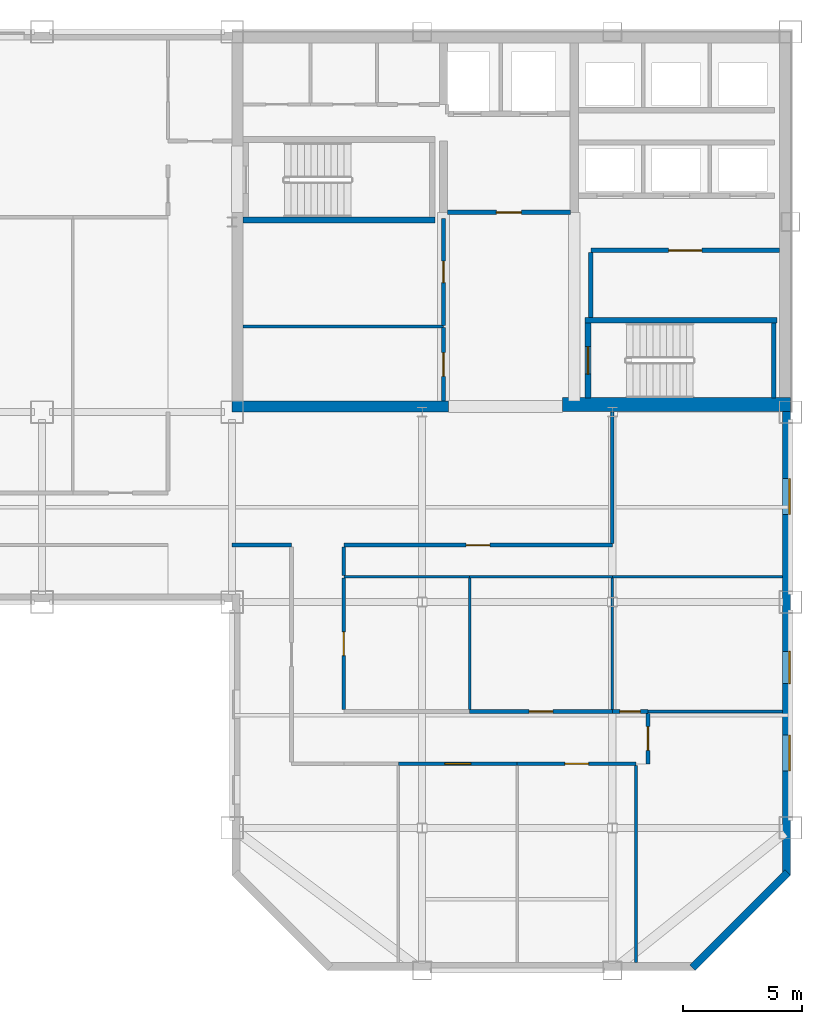
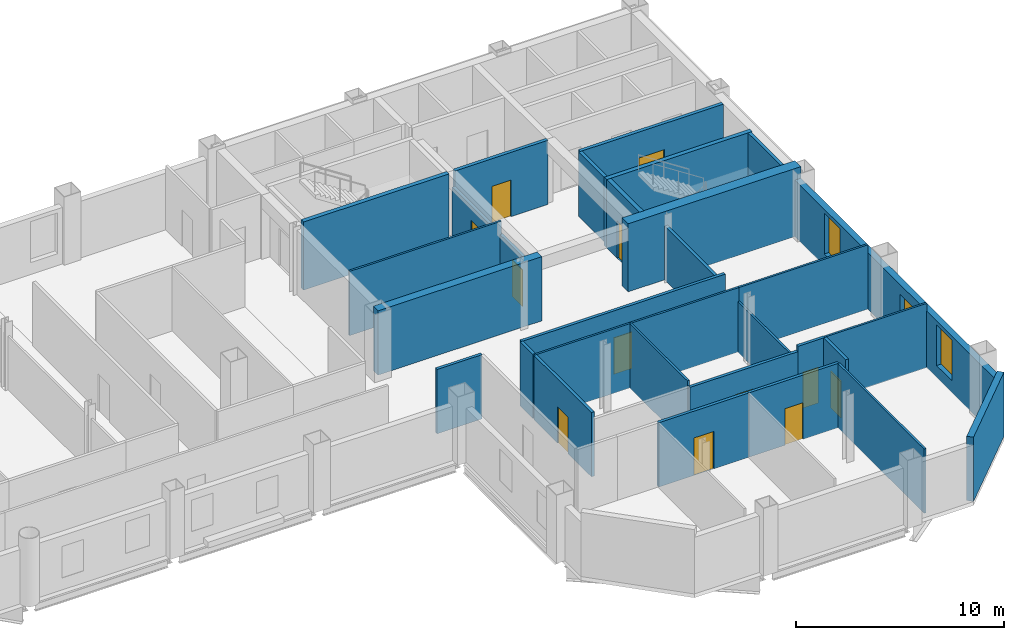
# One storey, part 5 of 9: 31 walls, 12 doors, 3 windows, 15 openings.
"""IFC4 building model written with IfcOpenShell, lengths in metres."""

import ifcopenshell
import ifcopenshell.guid

model = None  # the IFC model being written
_history = None  # IfcOwnerHistory: only IFC2X3 demands one
_inside = {}  # id of a spatial element -> (the spatial element, [elements in it])
_under = {}  # id of a project, library or spatial element -> (it, [spatial elements below it])
_declared = {}  # id of a project -> (the project, [libraries it declares])
_typed = {}  # id of a type object -> (the type object, [elements of that type])
_made_of = {}  # id of a material, layer set ... -> (it, [elements and type objects made of it])


def new_model(schema):
    """Start an empty IFC model of exactly this schema.

    Asked for "IFC4X3", IfcOpenShell would pick the latest addendum, in which some entities
    have other attributes; the version numbers below select the first issue.
    IFC2X3 requires an IfcOwnerHistory on every rooted entity: one is made here for all.
    """
    global model, _history
    if schema == "IFC4X3":
        model = ifcopenshell.file(schema_version=(4, 3, 0, 0))
    else:
        model = ifcopenshell.file(schema=schema)
    _inside.clear()
    _under.clear()
    _declared.clear()
    _typed.clear()
    _made_of.clear()
    _history = None
    if model.schema == "IFC2X3":
        org = make("IfcOrganization", Name="unknown")
        user = make(
            "IfcPersonAndOrganization",
            ThePerson=make("IfcPerson", FamilyName="unknown"),
            TheOrganization=org,
        )
        app = make(
            "IfcApplication",
            ApplicationDeveloper=org,
            Version="unknown",
            ApplicationFullName="unknown",
            ApplicationIdentifier="unknown",
        )
        _history = make(
            "IfcOwnerHistory",
            OwningUser=user,
            OwningApplication=app,
            ChangeAction="ADDED",
            CreationDate=0,
        )
    return model


def make(cls, **values):
    """One entity of the class cls with the attributes given. An attribute that is None is left unset."""
    return model.create_entity(
        cls, **{name: value for name, value in values.items() if value is not None}
    )


def rooted(cls, **values):
    """An entity with a GlobalId (a new one), such as an element, a storey or a relation."""
    return make(cls, GlobalId=ifcopenshell.guid.new(), OwnerHistory=_history, **values)


def si_unit(unit_type, name, prefix=None):
    """IfcSIUnit, for example si_unit("LENGTHUNIT", "METRE", prefix="MILLI")."""
    return make("IfcSIUnit", UnitType=unit_type, Prefix=prefix, Name=name)


def assignment(units):
    """IfcUnitAssignment: the units of a project."""
    return None if units is None else make("IfcUnitAssignment", Units=units)


def point(xyz):
    """IfcCartesianPoint."""
    return None if xyz is None else make("IfcCartesianPoint", Coordinates=xyz)


def direction(xyz):
    """IfcDirection."""
    return None if xyz is None else make("IfcDirection", DirectionRatios=xyz)


def frame(location, z_axis=None, x_axis=None):
    """IfcAxis2Placement3D, a coordinate frame: its origin and axes. An axis left out is left unset."""
    return make(
        "IfcAxis2Placement3D",
        Location=point(location),
        Axis=direction(z_axis),
        RefDirection=direction(x_axis),
    )


def frame_2d(location, x_axis=None):
    """IfcAxis2Placement2D, a coordinate frame in the plane: its origin and x axis."""
    return make(
        "IfcAxis2Placement2D", Location=point(location), RefDirection=direction(x_axis)
    )


def origin():
    """The frame at (0, 0, 0) with its axes left unset."""
    return frame((0.0, 0.0, 0.0))


def place(relative_to, where):
    """IfcLocalPlacement: puts the frame where relative to a parent placement (None: the world)."""
    return make(
        "IfcLocalPlacement", PlacementRelTo=relative_to, RelativePlacement=where
    )


def context(
    kind, dimensions, precision=None, world=None, true_north=None, identifier=None
):
    """IfcGeometricRepresentationContext, for example the 3D "Model" context."""
    return make(
        "IfcGeometricRepresentationContext",
        ContextIdentifier=identifier,
        ContextType=kind,
        CoordinateSpaceDimension=dimensions,
        Precision=precision,
        WorldCoordinateSystem=world,
        TrueNorth=true_north,
    )


def subcontext(parent, identifier, kind, view, scale=None):
    """IfcGeometricRepresentationSubContext, for example "Body" below "Model"."""
    return make(
        "IfcGeometricRepresentationSubContext",
        ContextIdentifier=identifier,
        ContextType=kind,
        ParentContext=parent,
        TargetScale=scale,
        TargetView=view,
    )


def project(units=None, contexts=None):
    """IfcProject with its units and contexts."""
    return rooted(
        "IfcProject",
        Name="project",
        RepresentationContexts=contexts,
        UnitsInContext=assignment(units),
    )


def spatial(cls, under=None, at=None, **own):
    """A site, building, storey or space (cls), placed at a placement, below another one or the project."""
    s = rooted(cls, ObjectPlacement=at, **own)
    if under is not None:
        _under.setdefault(under.id(), (under, []))[1].append(s)
    return s


def profile(cls, at=None, kind="AREA", **sizes):
    """A parametric profile (cls). Its sizes go by their IFC names, for example OverallWidth=200.0."""
    return make(cls, ProfileType=kind, Position=at, **sizes)


def rectangle(**sizes):
    """IfcRectangleProfileDef."""
    return profile("IfcRectangleProfileDef", **sizes)


def extrude(swept, where, along, depth):
    """IfcExtrudedAreaSolid: the profile swept, set in the frame where, extruded along a direction by depth."""
    return make(
        "IfcExtrudedAreaSolid",
        SweptArea=swept,
        Position=where,
        ExtrudedDirection=direction(along),
        Depth=depth,
    )


def shape(context_of_items, identifier, shape_type, items):
    """IfcShapeRepresentation: the items that make up one representation, for example the "Body"."""
    return make(
        "IfcShapeRepresentation",
        ContextOfItems=context_of_items,
        RepresentationIdentifier=identifier,
        RepresentationType=shape_type,
        Items=items,
    )


def material(Name=None, Category=None):
    """IfcMaterial."""
    return make("IfcMaterial", Name=Name, Category=Category)


def layer(
    of_material, thickness, ventilated=None, Name=None, Category=None, Priority=None
):
    """IfcMaterialLayer: one layer of a wall or slab, of a material (None: an air gap)."""
    return make(
        "IfcMaterialLayer",
        Material=of_material,
        LayerThickness=thickness,
        IsVentilated=ventilated,
        Name=Name,
        Category=Category,
        Priority=Priority,
    )


def layer_set(layers, Name=None):
    """IfcMaterialLayerSet."""
    return make("IfcMaterialLayerSet", MaterialLayers=layers, LayerSetName=Name)


def made_of(thing, what):
    """Note that an element or type object is made of a material, layer set ...; save() writes the relation."""
    if what is not None:
        _made_of.setdefault(what.id(), (what, []))[1].append(thing)
    return thing


def type_object(cls, material=None, **own):
    """A type object (cls), such as IfcWallType, which elements share."""
    return made_of(rooted(cls, **own), material)


def element(
    cls,
    number,
    at=None,
    inside=None,
    cuts=None,
    type_object=None,
    material=None,
    context=None,
    identifier="Body",
    shape_type=None,
    held_by="IfcProductDefinitionShape",
    body=None,
    shapes=None,
    **own,
):
    """One element of the class cls, such as IfcWall. Its Tag is "e" and its number.

    at: its placement. inside: the storey or other place that contains it. cuts: it is an
    opening in that element (IfcRelVoidsElement). A single representation is given by context,
    identifier, shape_type and body (its items); several are given by shapes. held_by: the class
    of the entity that holds the representations. save() writes the other relations.
    """
    e = rooted(cls, Tag="e%d" % number, ObjectPlacement=at, **own)
    if body is not None:
        shapes = [shape(context, identifier, shape_type, body)]
    if shapes is not None:
        e.Representation = make(held_by, Representations=shapes)
    if inside is not None:
        _inside.setdefault(inside.id(), (inside, []))[1].append(e)
    if cuts is not None:
        rooted(
            "IfcRelVoidsElement", RelatingBuildingElement=cuts, RelatedOpeningElement=e
        )
    if type_object is not None:
        _typed.setdefault(type_object.id(), (type_object, []))[1].append(e)
    return made_of(e, material)


def fill(opening, filler):
    """IfcRelFillsElement: the door or window that sits in an opening."""
    return rooted(
        "IfcRelFillsElement",
        RelatingOpeningElement=opening,
        RelatedBuildingElement=filler,
    )


def aggregate(whole, parts):
    """IfcRelAggregates: a whole, such as a stair, and the parts it consists of."""
    return rooted("IfcRelAggregates", RelatingObject=whole, RelatedObjects=parts)


def save(model, path):
    """Write the relations noted so far, then the file.

    IfcRelAggregates (storeys below a building ...), IfcRelContainedInSpatialStructure (elements
    in a storey), IfcRelDefinesByType, IfcRelAssociatesMaterial and IfcRelDeclares: one each for
    every whole, place, type object, material and project.
    """
    for whole, parts in _under.values():
        aggregate(whole, parts)
    for where, things in _inside.values():
        rooted(
            "IfcRelContainedInSpatialStructure",
            RelatedElements=things,
            RelatingStructure=where,
        )
    for kind, things in _typed.values():
        rooted("IfcRelDefinesByType", RelatedObjects=things, RelatingType=kind)
    for what, things in _made_of.values():
        rooted("IfcRelAssociatesMaterial", RelatedObjects=things, RelatingMaterial=what)
    for by, libraries in _declared.values():
        rooted("IfcRelDeclares", RelatingContext=by, RelatedDefinitions=libraries)
    model.write(path)


model = new_model("IFC4")

# Units and contexts
model_context = context("Model", 3, precision=1e-05, world=origin(), true_north=direction((0.0, 1.0)))
body_context = subcontext(model_context, "Body", "Model", "MODEL_VIEW")
ifc_project = project(units=[si_unit("LENGTHUNIT", "METRE"), si_unit("AREAUNIT", "SQUARE_METRE"), si_unit("VOLUMEUNIT", "CUBIC_METRE"), si_unit("PLANEANGLEUNIT", "RADIAN"), si_unit("MASSUNIT", "GRAM", prefix="KILO")], contexts=[model_context])

# Site, building, storey
site_placement = place(None, origin())
site = spatial("IfcSite", under=ifc_project, at=site_placement, CompositionType="ELEMENT")
building_placement = place(site_placement, origin())
building = spatial("IfcBuilding", under=site, at=building_placement, Name="Qianrong Seaharbour Tower", CompositionType="ELEMENT")
storey_placement = place(building_placement, frame((0.0, 0.0, 269.800048828125)))
storey = spatial("IfcBuildingStorey", under=building, at=storey_placement, Name="L65", CompositionType="ELEMENT", Elevation=269.800048828125)

# Walls
ifc_material_1 = material(Name="Concrete C60/75", Category="concrete")
ifc_layer_1 = layer(ifc_material_1, 0.4599609375)
ifc_layer_set_1 = layer_set([ifc_layer_1], Name="Concrete C60/75")
wall_type_1 = type_object("IfcWallType", Name="WALL-CORE-460", PredefinedType="SHEAR", material=ifc_layer_set_1)
wall_1_placement = place(storey_placement, frame((40.5, 36.22998046875, 0.0), z_axis=(0.0, 0.0, 1.0), x_axis=(1.0, 0.0, 0.0)))
element("IfcWall", 1, at=wall_1_placement, inside=storey, type_object=wall_type_1, Name="L65 South Core Shear Wall S1", PredefinedType="SHEAR", context=body_context, shape_type="SweptSolid", body=[
    extrude(rectangle(XDim=9.10009765625, YDim=0.4599609375, at=frame_2d((4.550048828125, 0.0))), origin(), (0.0, 0.0, 1.0), 3.77490234375),
])
ifc_material_2 = material(Name="Concrete C70/85", Category="concrete")
ifc_layer_2 = layer(ifc_material_2, 0.580078125)
ifc_layer_set_2 = layer_set([ifc_layer_2], Name="Concrete C70/85")
wall_type_2 = type_object("IfcWallType", Name="WALL-CORE-580", PredefinedType="SHEAR", material=ifc_layer_set_2)
wall_2_placement = place(storey_placement, frame((54.39990234375, 36.320068359375, 0.0), z_axis=(0.0, 0.0, 1.0), x_axis=(1.0, 0.0, 0.0)))
element("IfcWall", 2, at=wall_2_placement, inside=storey, type_object=wall_type_2, Name="L65 South Core Shear Wall S3", PredefinedType="SHEAR", context=body_context, shape_type="SweptSolid", body=[
    extrude(rectangle(XDim=9.60009765625, YDim=0.580078125, at=frame_2d((4.800048828125, 0.0))), origin(), (0.0, 0.0, 1.0), 4.0),
])

# Wall, opening, door
ifc_material_3 = material(Name="Fire-rated acoustic gypsum board partition")
ifc_layer_3 = layer(ifc_material_3, 0.1650390625)
ifc_layer_set_3 = layer_set([ifc_layer_3], Name="Fire-rated acoustic gypsum board partition")
wall_type_3 = type_object("IfcWallType", Name="WALL-CORR-PART-165", PredefinedType="PARTITIONING", material=ifc_layer_set_3)
wall_3_placement = place(storey_placement, frame((49.39990234375, 36.4599609375, 0.0), z_axis=(0.0, 0.0, 1.0), x_axis=(0.0, 1.0, 0.0)))
wall_3 = element("IfcWall", 3, at=wall_3_placement, inside=storey, type_object=wall_type_3, Name="L65 Interior Partition Wall 008", PredefinedType="PARTITIONING", context=body_context, shape_type="SweptSolid", body=[
    extrude(rectangle(XDim=3.093017578125, YDim=0.1650390625, at=frame_2d((1.54638671875, 0.0))), origin(), (0.0, 0.0, 1.0), 3.016845703125),
])
opening_1_placement = place(wall_3_placement, frame((1.04638671875, 0.0, 0.0)))
opening_1 = element("IfcOpeningElement", 4, at=opening_1_placement, cuts=wall_3, Name="Opening DO-01", PredefinedType="OPENING", context=body_context, shape_type="SweptSolid", body=[
    extrude(rectangle(XDim=1.0, YDim=2.14990234375, at=frame_2d((0.5, 1.074951171875))), frame((0.0, 0.092529296875, 0.0), z_axis=(0.0, -1.0, 0.0), x_axis=(1.0, 0.0, 0.0)), (0.0, 0.0, 1.0), 0.18505859375),
])
ifc_material_4 = material(Name="Acoustic timber and galvanized steel fire door assembly", Category="steel")
door_type_1 = type_object("IfcDoorType", Name="DOOR-OFFICE-1000x2150", OperationType="NOTDEFINED", PredefinedType="DOOR", material=ifc_material_4)
door_1_placement = place(opening_1_placement, origin())
door_1 = element("IfcDoor", 5, at=door_1_placement, inside=storey, type_object=door_type_1, Name="L65 Wellness Room Door", OperationType="SINGLE_SWING_RIGHT", OverallHeight=2.14990234375, OverallWidth=1.0, PredefinedType="DOOR", context=body_context, shape_type="SweptSolid", body=[
    extrude(rectangle(XDim=1.0, YDim=2.14990234375, at=frame_2d((0.5, 1.074951171875))), frame((0.0, 0.02490234375, 0.0), z_axis=(0.0, -1.0, 0.0), x_axis=(1.0, 0.0, 0.0)), (0.0, 0.0, 1.0), 0.050048828125),
])
fill(opening_1, door_1)

wall_4_placement = place(storey_placement, frame((49.39990234375, 39.64697265625, 0.0), z_axis=(0.0, 0.0, 1.0), x_axis=(0.0, 1.0, 0.0)))
wall_4 = element("IfcWall", 6, at=wall_4_placement, inside=storey, type_object=wall_type_3, Name="L65 Interior Partition Wall 009", PredefinedType="PARTITIONING", context=body_context, shape_type="SweptSolid", body=[
    extrude(rectangle(XDim=4.5029296875, YDim=0.1650390625, at=frame_2d((2.25146484375, 0.0))), origin(), (0.0, 0.0, 1.0), 3.016845703125),
])
opening_2_placement = place(wall_4_placement, frame((1.801513671875, 0.0, 0.0)))
opening_2 = element("IfcOpeningElement", 7, at=opening_2_placement, cuts=wall_4, Name="Opening DS-01", PredefinedType="OPENING", context=body_context, shape_type="SweptSolid", body=[
    extrude(rectangle(XDim=0.89990234375, YDim=2.14990234375, at=frame_2d((0.449951171875, 1.074951171875))), frame((0.0, 0.092529296875, 0.0), z_axis=(0.0, -1.0, 0.0), x_axis=(1.0, 0.0, 0.0)), (0.0, 0.0, 1.0), 0.18505859375),
])
door_type_2 = type_object("IfcDoorType", Name="DOOR-STORE-900x2150", OperationType="NOTDEFINED", PredefinedType="DOOR", material=ifc_material_4)
door_2_placement = place(opening_2_placement, origin())
door_2 = element("IfcDoor", 8, at=door_2_placement, inside=storey, type_object=door_type_2, Name="L65 Equipment Store Room Door", OperationType="SINGLE_SWING_LEFT", OverallHeight=2.14990234375, OverallWidth=0.89990234375, PredefinedType="DOOR", context=body_context, shape_type="SweptSolid", body=[
    extrude(rectangle(XDim=0.89990234375, YDim=2.14990234375, at=frame_2d((0.449951171875, 1.074951171875))), frame((0.0, 0.02490234375, 0.0), z_axis=(0.0, -1.0, 0.0), x_axis=(1.0, 0.0, 0.0)), (0.0, 0.0, 1.0), 0.050048828125),
])
fill(opening_2, door_2)

# Wall
wall_5_placement = place(storey_placement, frame((56.5, 36.0, 0.0), z_axis=(0.0, 0.0, 1.0), x_axis=(0.0, -1.0, 0.0)))
element("IfcWall", 9, at=wall_5_placement, inside=storey, type_object=wall_type_3, Name="L65 Interior Partition Wall 026", PredefinedType="PARTITIONING", context=body_context, shape_type="SweptSolid", body=[
    extrude(rectangle(XDim=5.525390625, YDim=0.1650390625, at=frame_2d((2.7626953125, 0.0))), origin(), (0.0, 0.0, 1.0), 3.178955078125),
])

# Wall, opening, door
wall_6_placement = place(storey_placement, frame((56.5, 30.39990234375, 0.0), z_axis=(0.0, 0.0, 1.0), x_axis=(-1.0, 0.0, 0.0)))
wall_6 = element("IfcWall", 10, at=wall_6_placement, inside=storey, type_object=wall_type_3, Name="L65 Interior Partition Wall 027", PredefinedType="PARTITIONING", context=body_context, shape_type="SweptSolid", body=[
    extrude(rectangle(XDim=11.300048828125, YDim=0.1650390625, at=frame_2d((5.64990234375, 0.0))), origin(), (0.0, 0.0, 1.0), 3.77490234375),
])
opening_3_placement = place(wall_6_placement, frame((5.14990234375, 0.0, 0.0)))
opening_3 = element("IfcOpeningElement", 11, at=opening_3_placement, cuts=wall_6, Name="Opening DO-01", PredefinedType="OPENING", context=body_context, shape_type="SweptSolid", body=[
    extrude(rectangle(XDim=1.0, YDim=2.14990234375, at=frame_2d((0.5, 1.074951171875))), frame((0.0, 0.092529296875, 0.0), z_axis=(0.0, -1.0, 0.0), x_axis=(1.0, 0.0, 0.0)), (0.0, 0.0, 1.0), 0.18505859375),
])
door_3_placement = place(opening_3_placement, origin())
door_3 = element("IfcDoor", 12, at=door_3_placement, inside=storey, type_object=door_type_1, Name="L65 Commercial Desk Open-Plan Office Door", OperationType="SINGLE_SWING_LEFT", OverallHeight=2.14990234375, OverallWidth=1.0, PredefinedType="DOOR", context=body_context, shape_type="SweptSolid", body=[
    extrude(rectangle(XDim=1.0, YDim=2.14990234375, at=frame_2d((0.5, 1.074951171875))), frame((0.0, 0.02490234375, 0.0), z_axis=(0.0, -1.0, 0.0), x_axis=(1.0, 0.0, 0.0)), (0.0, 0.0, 1.0), 0.050048828125),
])
fill(opening_3, door_3)

# Walls
wall_7_placement = place(storey_placement, frame((43.0, 30.39990234375, 0.0), z_axis=(0.0, 0.0, 1.0), x_axis=(-1.0, 0.0, 0.0)))
element("IfcWall", 13, at=wall_7_placement, inside=storey, type_object=wall_type_3, Name="L65 Interior Partition Wall 029", PredefinedType="PARTITIONING", context=body_context, shape_type="SweptSolid", body=[
    extrude(rectangle(XDim=2.5, YDim=0.1650390625, at=frame_2d((1.25, 0.0))), origin(), (0.0, 0.0, 1.0), 3.77490234375),
])
wall_8_placement = place(storey_placement, frame((45.199951171875, 30.325439453125, 0.0), z_axis=(0.0, 0.0, 1.0), x_axis=(0.0, -1.0, 0.0)))
element("IfcWall", 14, at=wall_8_placement, inside=storey, type_object=wall_type_3, Name="L65 Interior Partition Wall 030", PredefinedType="PARTITIONING", context=body_context, shape_type="SweptSolid", body=[
    extrude(rectangle(XDim=1.20849609375, YDim=0.1650390625, at=frame_2d((0.604248046875, 0.0))), origin(), (0.0, 0.0, 1.0), 3.77490234375),
])

# Wall, opening, door
wall_9_placement = place(storey_placement, frame((45.199951171875, 29.02294921875, 0.0), z_axis=(0.0, 0.0, 1.0), x_axis=(0.0, -1.0, 0.0)))
wall_9 = element("IfcWall", 15, at=wall_9_placement, inside=storey, type_object=wall_type_3, Name="L65 Interior Partition Wall 031", PredefinedType="PARTITIONING", context=body_context, shape_type="SweptSolid", body=[
    extrude(rectangle(XDim=5.54833984375, YDim=0.1650390625, at=frame_2d((2.774169921875, 0.0))), origin(), (0.0, 0.0, 1.0), 3.77490234375),
])
opening_4_placement = place(wall_9_placement, frame((2.274169921875, 0.0, 0.0)))
opening_4 = element("IfcOpeningElement", 16, at=opening_4_placement, cuts=wall_9, Name="Opening DO-01", PredefinedType="OPENING", context=body_context, shape_type="SweptSolid", body=[
    extrude(rectangle(XDim=1.0, YDim=2.14990234375, at=frame_2d((0.5, 1.074951171875))), frame((0.0, 0.092529296875, 0.0), z_axis=(0.0, -1.0, 0.0), x_axis=(1.0, 0.0, 0.0)), (0.0, 0.0, 1.0), 0.18505859375),
])
door_4_placement = place(opening_4_placement, origin())
door_4 = element("IfcDoor", 17, at=door_4_placement, inside=storey, type_object=door_type_1, Name="L65 Chartering Model Showroom 1 Door", OperationType="SINGLE_SWING_RIGHT", OverallHeight=2.14990234375, OverallWidth=1.0, PredefinedType="DOOR", context=body_context, shape_type="SweptSolid", body=[
    extrude(rectangle(XDim=1.0, YDim=2.14990234375, at=frame_2d((0.5, 1.074951171875))), frame((0.0, 0.02490234375, 0.0), z_axis=(0.0, -1.0, 0.0), x_axis=(1.0, 0.0, 0.0)), (0.0, 0.0, 1.0), 0.050048828125),
])
fill(opening_4, door_4)

wall_10_placement = place(storey_placement, frame((50.5, 23.39990234375, 0.0), z_axis=(0.0, 0.0, 1.0), x_axis=(1.0, 0.0, 0.0)))
wall_10 = element("IfcWall", 18, at=wall_10_placement, inside=storey, type_object=wall_type_3, Name="L65 Interior Partition Wall 035", PredefinedType="PARTITIONING", context=body_context, shape_type="SweptSolid", body=[
    extrude(rectangle(XDim=6.0, YDim=0.1650390625, at=frame_2d((3.0, 0.0))), origin(), (0.0, 0.0, 1.0), 3.467041015625),
])
opening_5_placement = place(wall_10_placement, frame((2.5, 0.0, 0.0)))
opening_5 = element("IfcOpeningElement", 19, at=opening_5_placement, cuts=wall_10, Name="Opening DO-01", PredefinedType="OPENING", context=body_context, shape_type="SweptSolid", body=[
    extrude(rectangle(XDim=1.0, YDim=2.14990234375, at=frame_2d((0.5, 1.074951171875))), frame((0.0, 0.092529296875, 0.0), z_axis=(0.0, -1.0, 0.0), x_axis=(1.0, 0.0, 0.0)), (0.0, 0.0, 1.0), 0.18505859375),
])
door_5_placement = place(opening_5_placement, origin())
door_5 = element("IfcDoor", 20, at=door_5_placement, inside=storey, type_object=door_type_1, Name="L65 Port Equipment Showroom 2 Door", OperationType="SINGLE_SWING_LEFT", OverallHeight=2.14990234375, OverallWidth=1.0, PredefinedType="DOOR", context=body_context, shape_type="SweptSolid", body=[
    extrude(rectangle(XDim=1.0, YDim=2.14990234375, at=frame_2d((0.5, 1.074951171875))), frame((0.0, 0.02490234375, 0.0), z_axis=(0.0, -1.0, 0.0), x_axis=(1.0, 0.0, 0.0)), (0.0, 0.0, 1.0), 0.050048828125),
])
fill(opening_5, door_5)

wall_11_placement = place(storey_placement, frame((56.5, 23.39990234375, 0.0), z_axis=(0.0, 0.0, 1.0), x_axis=(1.0, 0.0, 0.0)))
wall_11 = element("IfcWall", 21, at=wall_11_placement, inside=storey, type_object=wall_type_3, Name="L65 Interior Partition Wall 036", PredefinedType="PARTITIONING", context=body_context, shape_type="SweptSolid", body=[
    extrude(rectangle(XDim=1.5, YDim=0.1650390625, at=frame_2d((0.75, 0.0))), origin(), (0.0, 0.0, 1.0), 3.77490234375),
])
opening_6_placement = place(wall_11_placement, frame((0.320068359375, 0.0, 0.0)))
opening_6 = element("IfcOpeningElement", 22, at=opening_6_placement, cuts=wall_11, Name="Opening DU-01", PredefinedType="OPENING", context=body_context, shape_type="SweptSolid", body=[
    extrude(rectangle(XDim=0.860107421875, YDim=2.10009765625, at=frame_2d((0.43017578125, 1.050048828125))), frame((0.0, 0.092529296875, 0.0), z_axis=(0.0, -1.0, 0.0), x_axis=(1.0, 0.0, 0.0)), (0.0, 0.0, 1.0), 0.18505859375),
])
door_type_3 = type_object("IfcDoorType", Name="DOOR-UTIL-860x2100", OperationType="NOTDEFINED", PredefinedType="DOOR", material=ifc_material_4)
door_6_placement = place(opening_6_placement, origin())
door_6 = element("IfcDoor", 23, at=door_6_placement, inside=storey, type_object=door_type_3, Name="L65 Trade Meeting Room 3 Door", OperationType="SINGLE_SWING_RIGHT", OverallHeight=2.10009765625, OverallWidth=0.860107421875, PredefinedType="DOOR", context=body_context, shape_type="SweptSolid", body=[
    extrude(rectangle(XDim=0.860107421875, YDim=2.10009765625, at=frame_2d((0.43017578125, 1.050048828125))), frame((0.0, 0.02490234375, 0.0), z_axis=(0.0, -1.0, 0.0), x_axis=(1.0, 0.0, 0.0)), (0.0, 0.0, 1.0), 0.050048828125),
])
fill(opening_6, door_6)

wall_12_placement = place(storey_placement, frame((52.5, 21.199951171875, 0.0), z_axis=(0.0, 0.0, 1.0), x_axis=(-1.0, 0.0, 0.0)))
wall_12 = element("IfcWall", 24, at=wall_12_placement, inside=storey, type_object=wall_type_3, Name="L65 Interior Partition Wall 038", PredefinedType="PARTITIONING", context=body_context, shape_type="SweptSolid", body=[
    extrude(rectangle(XDim=5.0, YDim=0.1650390625, at=frame_2d((2.5, 0.0))), origin(), (0.0, 0.0, 1.0), 3.77490234375),
])
opening_7_placement = place(wall_12_placement, frame((1.949951171875, 0.0, 0.0)))
opening_7 = element("IfcOpeningElement", 25, at=opening_7_placement, cuts=wall_12, Name="Opening DM-01", PredefinedType="OPENING", context=body_context, shape_type="SweptSolid", body=[
    extrude(rectangle(XDim=1.10009765625, YDim=2.199951171875, at=frame_2d((0.550048828125, 1.10009765625))), frame((0.0, 0.092529296875, 0.0), z_axis=(0.0, -1.0, 0.0), x_axis=(1.0, 0.0, 0.0)), (0.0, 0.0, 1.0), 0.18505859375),
])
door_type_4 = type_object("IfcDoorType", Name="DOOR-MEET-1100x2200", OperationType="NOTDEFINED", PredefinedType="DOOR", material=ifc_material_4)
door_7_placement = place(opening_7_placement, origin())
door_7 = element("IfcDoor", 26, at=door_7_placement, inside=storey, type_object=door_type_4, Name="L65 Contract Signing Room 2 Door", OperationType="SINGLE_SWING_LEFT", OverallHeight=2.199951171875, OverallWidth=1.10009765625, PredefinedType="DOOR", context=body_context, shape_type="SweptSolid", body=[
    extrude(rectangle(XDim=1.10009765625, YDim=2.199951171875, at=frame_2d((0.550048828125, 1.10009765625))), frame((0.0, 0.02490234375, 0.0), z_axis=(0.0, -1.0, 0.0), x_axis=(1.0, 0.0, 0.0)), (0.0, 0.0, 1.0), 0.050048828125),
])
fill(opening_7, door_7)

wall_13_placement = place(storey_placement, frame((57.5, 21.199951171875, 0.0), z_axis=(0.0, 0.0, 1.0), x_axis=(-1.0, 0.0, 0.0)))
wall_13 = element("IfcWall", 27, at=wall_13_placement, inside=storey, type_object=wall_type_3, Name="L65 Interior Partition Wall 039", PredefinedType="PARTITIONING", context=body_context, shape_type="SweptSolid", body=[
    extrude(rectangle(XDim=5.0, YDim=0.1650390625, at=frame_2d((2.5, 0.0))), origin(), (0.0, 0.0, 1.0), 3.77490234375),
])
opening_8_placement = place(wall_13_placement, frame((2.0, 0.0, 0.0)))
opening_8 = element("IfcOpeningElement", 28, at=opening_8_placement, cuts=wall_13, Name="Opening DO-01", PredefinedType="OPENING", context=body_context, shape_type="SweptSolid", body=[
    extrude(rectangle(XDim=1.0, YDim=2.14990234375, at=frame_2d((0.5, 1.074951171875))), frame((0.0, 0.092529296875, 0.0), z_axis=(0.0, -1.0, 0.0), x_axis=(1.0, 0.0, 0.0)), (0.0, 0.0, 1.0), 0.18505859375),
])
door_8_placement = place(opening_8_placement, origin())
door_8 = element("IfcDoor", 29, at=door_8_placement, inside=storey, type_object=door_type_1, Name="L65 Marine Showcase Showroom 3 Door", OperationType="SINGLE_SWING_RIGHT", OverallHeight=2.14990234375, OverallWidth=1.0, PredefinedType="DOOR", context=body_context, shape_type="SweptSolid", body=[
    extrude(rectangle(XDim=1.0, YDim=2.14990234375, at=frame_2d((0.5, 1.074951171875))), frame((0.0, 0.02490234375, 0.0), z_axis=(0.0, -1.0, 0.0), x_axis=(1.0, 0.0, 0.0)), (0.0, 0.0, 1.0), 0.050048828125),
])
fill(opening_8, door_8)

wall_14_placement = place(storey_placement, frame((58.0, 23.325439453125, 0.0), z_axis=(0.0, 0.0, 1.0), x_axis=(0.0, -1.0, 0.0)))
wall_14 = element("IfcWall", 30, at=wall_14_placement, inside=storey, type_object=wall_type_3, Name="L65 Interior Partition Wall 040", PredefinedType="PARTITIONING", context=body_context, shape_type="SweptSolid", body=[
    extrude(rectangle(XDim=2.12548828125, YDim=0.1650390625, at=frame_2d((1.062744140625, 0.0))), origin(), (0.0, 0.0, 1.0), 3.77490234375),
])
opening_9_placement = place(wall_14_placement, frame((0.562744140625, 0.0, 0.0)))
opening_9 = element("IfcOpeningElement", 31, at=opening_9_placement, cuts=wall_14, Name="Opening DO-01", PredefinedType="OPENING", context=body_context, shape_type="SweptSolid", body=[
    extrude(rectangle(XDim=1.0, YDim=2.14990234375, at=frame_2d((0.5, 1.074951171875))), frame((0.0, 0.092529296875, 0.0), z_axis=(0.0, -1.0, 0.0), x_axis=(1.0, 0.0, 0.0)), (0.0, 0.0, 1.0), 0.18505859375),
])
door_9_placement = place(opening_9_placement, origin())
door_9 = element("IfcDoor", 32, at=door_9_placement, inside=storey, type_object=door_type_1, Name="L65 Brokerage Office 4 Door", OperationType="SINGLE_SWING_LEFT", OverallHeight=2.14990234375, OverallWidth=1.0, PredefinedType="DOOR", context=body_context, shape_type="SweptSolid", body=[
    extrude(rectangle(XDim=1.0, YDim=2.14990234375, at=frame_2d((0.5, 1.074951171875))), frame((0.0, 0.02490234375, 0.0), z_axis=(0.0, -1.0, 0.0), x_axis=(1.0, 0.0, 0.0)), (0.0, 0.0, 1.0), 0.050048828125),
])
fill(opening_9, door_9)

# Walls
ifc_material_5 = material(Name="Demountable aluminium-framed acoustic office partition", Category="aluminium")
ifc_layer_4 = layer(ifc_material_5, 0.110107421875)
ifc_layer_set_4 = layer_set([ifc_layer_4], Name="Demountable aluminium-framed acoustic office partition")
wall_type_4 = type_object("IfcWallType", Name="WALL-DEMOUNT-110", PredefinedType="MOVABLE", material=ifc_layer_set_4)
wall_15_placement = place(storey_placement, frame((40.9599609375, 39.60009765625, 0.0), z_axis=(0.0, 0.0, 1.0), x_axis=(1.0, 0.0, 0.0)))
element("IfcWall", 33, at=wall_15_placement, inside=storey, type_object=wall_type_4, Name="L65 Interior Partition Wall 011", PredefinedType="MOVABLE", context=body_context, shape_type="SweptSolid", body=[
    extrude(rectangle(XDim=8.43994140625, YDim=0.110107421875, at=frame_2d((4.219970703125, 0.0))), origin(), (0.0, 0.0, 1.0), 3.77490234375),
])
wall_16_placement = place(storey_placement, frame((50.5, 29.070068359375, 0.0), z_axis=(0.0, 0.0, 1.0), x_axis=(-1.0, 0.0, 0.0)))
element("IfcWall", 34, at=wall_16_placement, inside=storey, type_object=wall_type_4, Name="L65 Interior Partition Wall 041", PredefinedType="MOVABLE", context=body_context, shape_type="SweptSolid", body=[
    extrude(rectangle(XDim=5.300048828125, YDim=0.110107421875, at=frame_2d((2.64990234375, 0.0))), origin(), (0.0, 0.0, 1.0), 3.77490234375),
])
wall_17_placement = place(storey_placement, frame((56.5, 29.070068359375, 0.0), z_axis=(0.0, 0.0, 1.0), x_axis=(-1.0, 0.0, 0.0)))
element("IfcWall", 35, at=wall_17_placement, inside=storey, type_object=wall_type_4, Name="L65 Interior Partition Wall 042", PredefinedType="MOVABLE", context=body_context, shape_type="SweptSolid", body=[
    extrude(rectangle(XDim=6.0, YDim=0.110107421875, at=frame_2d((3.0, 0.0))), origin(), (0.0, 0.0, 1.0), 3.77490234375),
])
wall_18_placement = place(storey_placement, frame((63.66796875, 29.070068359375, 0.0), z_axis=(0.0, 0.0, 1.0), x_axis=(-1.0, 0.0, 0.0)))
element("IfcWall", 36, at=wall_18_placement, inside=storey, type_object=wall_type_4, Name="L65 Interior Partition Wall 043", PredefinedType="MOVABLE", context=body_context, shape_type="SweptSolid", body=[
    extrude(rectangle(XDim=7.16796875, YDim=0.110107421875, at=frame_2d((3.583984375, 0.0))), origin(), (0.0, 0.0, 1.0), 3.77490234375),
])
wall_19_placement = place(storey_placement, frame((50.5, 29.02294921875, 0.0), z_axis=(0.0, 0.0, 1.0), x_axis=(0.0, -1.0, 0.0)))
element("IfcWall", 37, at=wall_19_placement, inside=storey, type_object=wall_type_4, Name="L65 Interior Partition Wall 044", PredefinedType="MOVABLE", context=body_context, shape_type="SweptSolid", body=[
    extrude(rectangle(XDim=5.54833984375, YDim=0.110107421875, at=frame_2d((2.774169921875, 0.0))), origin(), (0.0, 0.0, 1.0), 3.77490234375),
])
wall_20_placement = place(storey_placement, frame((56.5, 29.02294921875, 0.0), z_axis=(0.0, 0.0, 1.0), x_axis=(0.0, -1.0, 0.0)))
element("IfcWall", 38, at=wall_20_placement, inside=storey, type_object=wall_type_4, Name="L65 Interior Partition Wall 045", PredefinedType="MOVABLE", context=body_context, shape_type="SweptSolid", body=[
    extrude(rectangle(XDim=5.54833984375, YDim=0.110107421875, at=frame_2d((2.774169921875, 0.0))), origin(), (0.0, 0.0, 1.0), 2.967041015625),
])
wall_21_placement = place(storey_placement, frame((63.66796875, 23.39990234375, 0.0), z_axis=(0.0, 0.0, 1.0), x_axis=(-1.0, 0.0, 0.0)))
element("IfcWall", 39, at=wall_21_placement, inside=storey, type_object=wall_type_4, Name="L65 Interior Partition Wall 046", PredefinedType="MOVABLE", context=body_context, shape_type="SweptSolid", body=[
    extrude(rectangle(XDim=5.66796875, YDim=0.110107421875, at=frame_2d((2.833984375, 0.0))), origin(), (0.0, 0.0, 1.0), 3.77490234375),
])
wall_22_placement = place(storey_placement, frame((57.5, 21.12548828125, 0.0), z_axis=(0.0, 0.0, 1.0), x_axis=(0.0, -1.0, 0.0)))
element("IfcWall", 40, at=wall_22_placement, inside=storey, type_object=wall_type_4, Name="L65 Interior Partition Wall 054", PredefinedType="MOVABLE", context=body_context, shape_type="SweptSolid", body=[
    extrude(rectangle(XDim=8.29345703125, YDim=0.110107421875, at=frame_2d((4.146728515625, 0.0))), origin(), (0.0, 0.0, 1.0), 3.77490234375),
])

# Wall, openings, windows
ifc_material_6 = material(Name="Unitised buff brick on Precast concrete C45/55", Category="masonry")
ifc_layer_5 = layer(ifc_material_6, 0.340087890625)
ifc_layer_set_5 = layer_set([ifc_layer_5], Name="Unitised buff brick on Precast concrete C45/55")
wall_type_5 = type_object("IfcWallType", Name="WALL-EXT-BRICK-BUFF-340", PredefinedType="SOLIDWALL", material=ifc_layer_set_5)
wall_23_placement = place(storey_placement, frame((63.830078125, 36.050048828125, 0.0), z_axis=(0.0, 0.0, 1.0), x_axis=(0.0, -1.0, 0.0)))
wall_23 = element("IfcWall", 41, at=wall_23_placement, inside=storey, type_object=wall_type_5, Name="L65 Exterior Masonry Facade Wall EAST_WING", PredefinedType="SOLIDWALL", context=body_context, shape_type="SweptSolid", body=[
    extrude(rectangle(XDim=19.550048828125, YDim=0.340087890625, at=frame_2d((9.77490234375, 0.0))), origin(), (0.0, 0.0, 1.0), 3.324951171875),
])
opening_10_placement = place(wall_23_placement, frame((2.85009765625, 0.0, 0.699951171875)))
opening_10 = element("IfcOpeningElement", 42, at=opening_10_placement, cuts=wall_23, Name="Opening WN-08", PredefinedType="OPENING", context=body_context, shape_type="SweptSolid", body=[
    extrude(rectangle(XDim=1.5, YDim=2.39990234375, at=frame_2d((0.75, 1.199951171875))), frame((0.0, 0.18017578125, 0.0), z_axis=(0.0, -1.0, 0.0), x_axis=(1.0, 0.0, 0.0)), (0.0, 0.0, 1.0), 0.360107421875),
])
opening_11_placement = place(wall_23_placement, frame((10.125, 0.0, 0.89990234375)))
opening_11 = element("IfcOpeningElement", 43, at=opening_11_placement, cuts=wall_23, Name="Opening WN-02", PredefinedType="OPENING", context=body_context, shape_type="SweptSolid", body=[
    extrude(rectangle(XDim=1.35009765625, YDim=1.85009765625, at=frame_2d((0.675048828125, 0.925048828125))), frame((0.0, 0.18017578125, 0.0), z_axis=(0.0, -1.0, 0.0), x_axis=(1.0, 0.0, 0.0)), (0.0, 0.0, 1.0), 0.360107421875),
])
opening_12_placement = place(wall_23_placement, frame((13.64990234375, 0.0, 0.699951171875)))
opening_12 = element("IfcOpeningElement", 44, at=opening_12_placement, cuts=wall_23, Name="Opening WN-08", PredefinedType="OPENING", context=body_context, shape_type="SweptSolid", body=[
    extrude(rectangle(XDim=1.5, YDim=2.39990234375, at=frame_2d((0.75, 1.199951171875))), frame((0.0, 0.18017578125, 0.0), z_axis=(0.0, -1.0, 0.0), x_axis=(1.0, 0.0, 0.0)), (0.0, 0.0, 1.0), 0.360107421875),
])
ifc_material_7 = material(Name="Insulated low-e double glazing in thermally broken aluminium 6063-T6 frame", Category="aluminium")
window_type_1 = type_object("IfcWindowType", Name="WIN-PUNCH-1350x1850", PartitioningType="DOUBLE_PANEL_VERTICAL", PredefinedType="WINDOW", material=ifc_material_7)
window_1_placement = place(opening_11_placement, origin())
window_1 = element("IfcWindow", 45, at=window_1_placement, inside=storey, type_object=window_type_1, Name="L65 Deep-Set Punched Window 06.03", OverallHeight=1.85009765625, OverallWidth=1.35009765625, PartitioningType="DOUBLE_PANEL_VERTICAL", PredefinedType="WINDOW", context=body_context, shape_type="SweptSolid", body=[
    extrude(rectangle(XDim=1.35009765625, YDim=1.85009765625, at=frame_2d((0.675048828125, 0.925048828125))), frame((0.0, 0.150146484375, 0.0), z_axis=(0.0, -1.0, 0.0), x_axis=(1.0, 0.0, 0.0)), (0.0, 0.0, 1.0), 0.06005859375),
])
fill(opening_11, window_1)
window_type_2 = type_object("IfcWindowType", Name="WIN-PUNCH-1500x2400", PartitioningType="DOUBLE_PANEL_HORIZONTAL", PredefinedType="WINDOW", material=ifc_material_7)
window_2_placement = place(opening_10_placement, origin())
window_2 = element("IfcWindow", 46, at=window_2_placement, inside=storey, type_object=window_type_2, Name="L65 Deep-Set Punched Window 06.01", OverallHeight=2.39990234375, OverallWidth=1.5, PartitioningType="DOUBLE_PANEL_HORIZONTAL", PredefinedType="WINDOW", context=body_context, shape_type="SweptSolid", body=[
    extrude(rectangle(XDim=1.5, YDim=2.39990234375, at=frame_2d((0.75, 1.199951171875))), frame((0.0, 0.150146484375, 0.0), z_axis=(0.0, -1.0, 0.0), x_axis=(1.0, 0.0, 0.0)), (0.0, 0.0, 1.0), 0.06005859375),
])
fill(opening_10, window_2)
window_3_placement = place(opening_12_placement, origin())
window_3 = element("IfcWindow", 47, at=window_3_placement, inside=storey, type_object=window_type_2, Name="L65 Deep-Set Punched Window 06.04", OverallHeight=2.39990234375, OverallWidth=1.5, PartitioningType="DOUBLE_PANEL_HORIZONTAL", PredefinedType="WINDOW", context=body_context, shape_type="SweptSolid", body=[
    extrude(rectangle(XDim=1.5, YDim=2.39990234375, at=frame_2d((0.75, 1.199951171875))), frame((0.0, 0.150146484375, 0.0), z_axis=(0.0, -1.0, 0.0), x_axis=(1.0, 0.0, 0.0)), (0.0, 0.0, 1.0), 0.06005859375),
])
fill(opening_12, window_3)

# Wall
wall_24_placement = place(storey_placement, frame((63.8798828125, 16.6201171875, 0.0), z_axis=(0.0, 0.0, 1.0), x_axis=(-0.707106781187, -0.707106781187, 0.0)))
element("IfcWall", 48, at=wall_24_placement, inside=storey, type_object=wall_type_5, Name="L65 Exterior Masonry Facade Wall E07", PredefinedType="SOLIDWALL", context=body_context, shape_type="SweptSolid", body=[
    extrude(rectangle(XDim=5.65673828125, YDim=0.340087890625, at=frame_2d((2.828369140625, 0.0))), origin(), (0.0, 0.0, 1.0), 3.77490234375),
])

# Wall, opening, door
ifc_material_8 = material(Name="Double fire-rated gypsum board acoustic partition")
ifc_layer_6 = layer(ifc_material_8, 0.18994140625)
ifc_layer_set_6 = layer_set([ifc_layer_6], Name="Double fire-rated gypsum board acoustic partition")
wall_type_6 = type_object("IfcWallType", Name="WALL-FIRE-PART-190", PredefinedType="PARTITIONING", material=ifc_layer_set_6)
wall_25_placement = place(storey_placement, frame((54.73291015625, 44.39990234375, 0.0), z_axis=(0.0, 0.0, 1.0), x_axis=(-1.0, 0.0, 0.0)))
wall_25 = element("IfcWall", 49, at=wall_25_placement, inside=storey, type_object=wall_type_6, Name="L65 Interior Partition Wall 007", PredefinedType="PARTITIONING", context=body_context, shape_type="SweptSolid", body=[
    extrude(rectangle(XDim=5.166015625, YDim=0.18994140625, at=frame_2d((2.5830078125, 0.0))), origin(), (0.0, 0.0, 1.0), 3.77490234375),
])
opening_13_placement = place(wall_25_placement, frame((2.05810546875, 0.0, 0.0)))
opening_13 = element("IfcOpeningElement", 50, at=opening_13_placement, cuts=wall_25, Name="Opening DC-01", PredefinedType="OPENING", context=body_context, shape_type="SweptSolid", body=[
    extrude(rectangle(XDim=1.050048828125, YDim=2.14990234375, at=frame_2d((0.52490234375, 1.074951171875))), frame((0.0, 0.10498046875, 0.0), z_axis=(0.0, -1.0, 0.0), x_axis=(1.0, 0.0, 0.0)), (0.0, 0.0, 1.0), 0.2099609375),
])
door_type_5 = type_object("IfcDoorType", Name="DOOR-CORR-FD60-1050x2150", OperationType="NOTDEFINED", PredefinedType="DOOR", material=ifc_material_4)
door_10_placement = place(opening_13_placement, origin())
door_10 = element("IfcDoor", 51, at=door_10_placement, inside=storey, type_object=door_type_5, Name="L65 Firefighting Lift Lobby Door", OperationType="SINGLE_SWING_LEFT", OverallHeight=2.14990234375, OverallWidth=1.050048828125, PredefinedType="DOOR", context=body_context, shape_type="SweptSolid", body=[
    extrude(rectangle(XDim=1.050048828125, YDim=2.14990234375, at=frame_2d((0.52490234375, 1.074951171875))), frame((0.0, 0.02490234375, 0.0), z_axis=(0.0, -1.0, 0.0), x_axis=(1.0, 0.0, 0.0)), (0.0, 0.0, 1.0), 0.050048828125),
])
fill(opening_13, door_10)

# Wall
wall_26_placement = place(storey_placement, frame((55.60009765625, 42.712890625, 0.0), z_axis=(0.0, 0.0, 1.0), x_axis=(0.0, -1.0, 0.0)))
element("IfcWall", 52, at=wall_26_placement, inside=storey, type_object=wall_type_6, Name="L65 Interior Partition Wall 010", PredefinedType="PARTITIONING", context=body_context, shape_type="SweptSolid", body=[
    extrude(rectangle(XDim=2.73095703125, YDim=0.18994140625, at=frame_2d((1.365478515625, 0.0))), origin(), (0.0, 0.0, 1.0), 3.77490234375),
])

# Wall, opening, door
wall_27_placement = place(storey_placement, frame((63.5400390625, 42.800048828125, 0.0), z_axis=(0.0, 0.0, 1.0), x_axis=(-1.0, 0.0, 0.0)))
wall_27 = element("IfcWall", 53, at=wall_27_placement, inside=storey, type_object=wall_type_6, Name="L65 Interior Partition Wall 012", PredefinedType="PARTITIONING", context=body_context, shape_type="SweptSolid", body=[
    extrude(rectangle(XDim=7.93994140625, YDim=0.18994140625, at=frame_2d((3.969970703125, 0.0))), origin(), (0.0, 0.0, 1.0), 3.77490234375),
])
opening_14_placement = place(wall_27_placement, frame((3.27001953125, 0.0, 0.0)))
opening_14 = element("IfcOpeningElement", 54, at=opening_14_placement, cuts=wall_27, Name="Opening DP-01", PredefinedType="OPENING", context=body_context, shape_type="SweptSolid", body=[
    extrude(rectangle(XDim=1.39990234375, YDim=2.25, at=frame_2d((0.699951171875, 1.125))), frame((0.0, 0.10498046875, 0.0), z_axis=(0.0, -1.0, 0.0), x_axis=(1.0, 0.0, 0.0)), (0.0, 0.0, 1.0), 0.2099609375),
])
door_type_6 = type_object("IfcDoorType", Name="DOOR-PLANT-PAIR-1400x2250", OperationType="DOUBLE_DOOR_SINGLE_SWING", PredefinedType="DOOR", material=ifc_material_4)
door_11_placement = place(opening_14_placement, origin())
door_11 = element("IfcDoor", 55, at=door_11_placement, inside=storey, type_object=door_type_6, Name="L65 Core Telecom Hub Room Door", OperationType="DOUBLE_DOOR_SINGLE_SWING", OverallHeight=2.25, OverallWidth=1.39990234375, PredefinedType="DOOR", context=body_context, shape_type="SweptSolid", body=[
    extrude(rectangle(XDim=1.39990234375, YDim=2.25, at=frame_2d((0.699951171875, 1.125))), frame((0.0, 0.02490234375, 0.0), z_axis=(0.0, -1.0, 0.0), x_axis=(1.0, 0.0, 0.0)), (0.0, 0.0, 1.0), 0.050048828125),
])
fill(opening_14, door_11)

# Walls
ifc_material_9 = material(Name="Concrete C50/60", Category="concrete")
ifc_layer_7 = layer(ifc_material_9, 0.239990234375)
ifc_layer_set_7 = layer_set([ifc_layer_7], Name="Concrete C50/60")
wall_type_7 = type_object("IfcWallType", Name="WALL-SHAFT-RC240", PredefinedType="SOLIDWALL", material=ifc_layer_set_7)
wall_28_placement = place(storey_placement, frame((49.0400390625, 44.080078125, 0.0), z_axis=(0.0, 0.0, 1.0), x_axis=(-1.0, 0.0, 0.0)))
element("IfcWall", 56, at=wall_28_placement, inside=storey, type_object=wall_type_7, Name="L65 ST-1 Structural Stair Core Wall S", PredefinedType="SOLIDWALL", context=body_context, shape_type="SweptSolid", body=[
    extrude(rectangle(XDim=8.080078125, YDim=0.239990234375, at=frame_2d((4.0400390625, 0.0))), origin(), (0.0, 0.0, 1.0), 4.0),
])
wall_29_placement = place(storey_placement, frame((55.360107421875, 39.8701171875, 0.0), z_axis=(0.0, 0.0, 1.0), x_axis=(1.0, 0.0, 0.0)))
element("IfcWall", 57, at=wall_29_placement, inside=storey, type_object=wall_type_7, Name="L65 ST-2 Structural Stair Core Wall N", PredefinedType="SOLIDWALL", context=body_context, shape_type="SweptSolid", body=[
    extrude(rectangle(XDim=8.079833984375, YDim=0.239990234375, at=frame_2d((4.0400390625, 0.0))), origin(), (0.0, 0.0, 1.0), 4.0),
])

# Wall, opening, door
wall_30_placement = place(storey_placement, frame((55.47998046875, 39.75, 0.0), z_axis=(0.0, 0.0, 1.0), x_axis=(0.0, -1.0, 0.0)))
wall_30 = element("IfcWall", 58, at=wall_30_placement, inside=storey, type_object=wall_type_7, Name="L65 ST-2 Structural Stair Core Wall W", PredefinedType="SOLIDWALL", context=body_context, shape_type="SweptSolid", body=[
    extrude(rectangle(XDim=3.14990234375, YDim=0.239990234375, at=frame_2d((1.574951171875, 0.0))), origin(), (0.0, 0.0, 1.0), 4.0),
])
opening_15_placement = place(wall_30_placement, frame((1.0, 0.0, 0.0)))
opening_15 = element("IfcOpeningElement", 59, at=opening_15_placement, cuts=wall_30, Name="Opening SD-01", PredefinedType="OPENING", context=body_context, shape_type="SweptSolid", body=[
    extrude(rectangle(XDim=1.14990234375, YDim=2.199951171875, at=frame_2d((0.574951171875, 1.10009765625))), frame((0.0, 0.1298828125, 0.0), z_axis=(0.0, -1.0, 0.0), x_axis=(1.0, 0.0, 0.0)), (0.0, 0.0, 1.0), 0.260009765625),
])
door_type_7 = type_object("IfcDoorType", Name="DOOR-STAIR-FD60-1150x2200", OperationType="NOTDEFINED", PredefinedType="DOOR", material=ifc_material_4)
door_12_placement = place(opening_15_placement, origin())
door_12 = element("IfcDoor", 60, at=door_12_placement, inside=storey, type_object=door_type_7, Name="L65 ST-2 Protected Stair Door", OperationType="SINGLE_SWING_RIGHT", OverallHeight=2.199951171875, OverallWidth=1.14990234375, PredefinedType="DOOR", context=body_context, shape_type="SweptSolid", body=[
    extrude(rectangle(XDim=1.14990234375, YDim=2.199951171875, at=frame_2d((0.574951171875, 1.10009765625))), frame((0.0, 0.02490234375, 0.0), z_axis=(0.0, -1.0, 0.0), x_axis=(1.0, 0.0, 0.0)), (0.0, 0.0, 1.0), 0.050048828125),
])
fill(opening_15, door_12)

# Wall
wall_31_placement = place(storey_placement, frame((63.2900390625, 36.60009765625, 0.0), z_axis=(0.0, 0.0, 1.0), x_axis=(0.0, 1.0, 0.0)))
element("IfcWall", 61, at=wall_31_placement, inside=storey, type_object=wall_type_7, Name="L65 ST-2 Structural Stair Core Wall E", PredefinedType="SOLIDWALL", context=body_context, shape_type="SweptSolid", body=[
    extrude(rectangle(XDim=3.14990234375, YDim=0.179931640625, at=frame_2d((1.574951171875, 0.0))), origin(), (0.0, 0.0, 1.0), 4.0),
])

save(model, "model.ifc")
